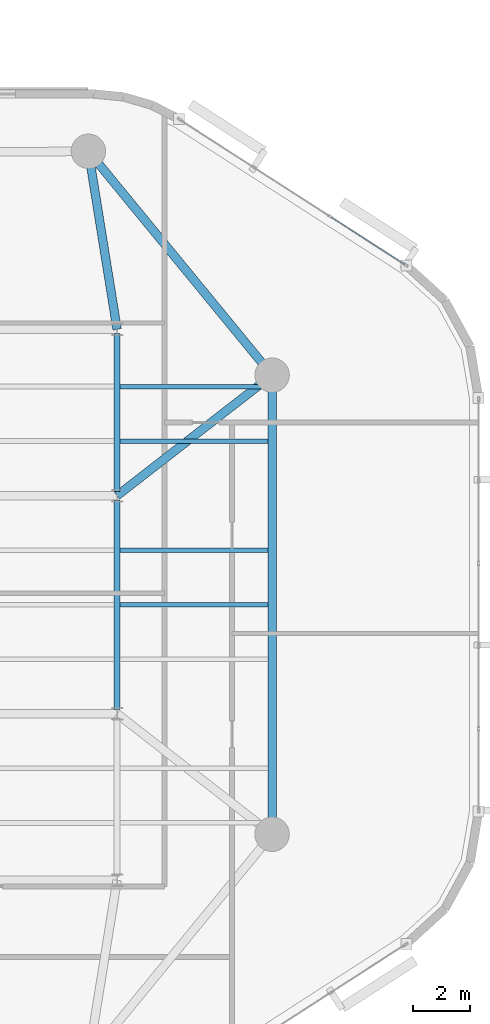
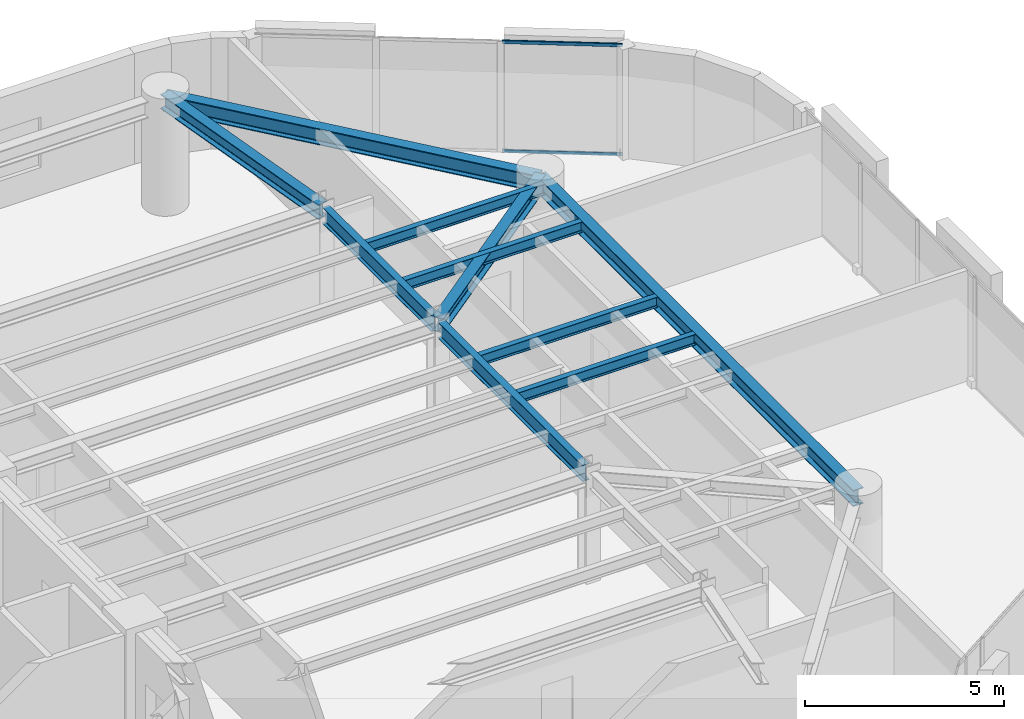
# One storey, part 4 of 15: 10 beams, 2 members, 1 element without a shape of its own.
"""IFC4 building model written with IfcOpenShell, lengths in metres."""

from ifc_helpers import new_model, si_unit, direction, frame, origin, origin_2d, place, context, subcontext, project, spatial, hollow_rectangle, i_section, extrude, material, layer, layer_set, material_profile, profile_set, type_object, element, aggregate, save


model = new_model("IFC4")

# Units and contexts
model_context = context("Model", 3, precision=1e-05, world=origin(), true_north=direction((0.0, 1.0)))
body_context = subcontext(model_context, "Body", "Model", "MODEL_VIEW")
ifc_project = project(units=[si_unit("LENGTHUNIT", "METRE"), si_unit("AREAUNIT", "SQUARE_METRE"), si_unit("VOLUMEUNIT", "CUBIC_METRE"), si_unit("PLANEANGLEUNIT", "RADIAN"), si_unit("MASSUNIT", "GRAM", prefix="KILO")], contexts=[model_context])

# Site, building, storey
site_placement = place(None, origin())
site = spatial("IfcSite", under=ifc_project, at=site_placement, CompositionType="ELEMENT")
building_placement = place(site_placement, origin())
building = spatial("IfcBuilding", under=site, at=building_placement, Name="An Khanh Terracotta Commons", CompositionType="ELEMENT")
storey_placement = place(building_placement, frame((0.0, 0.0, 169.0)))
storey = spatial("IfcBuildingStorey", under=building, at=storey_placement, Name="L44", CompositionType="ELEMENT", Elevation=169.0)

# Beams
ifc_material_1 = material(Name="Steel S355J2", Category="steel")
ifc_material_profile_1 = material_profile(ifc_material_1, i_section(OverallWidth=0.300048828125, OverallDepth=0.449951171875, WebThickness=0.013916015625, FlangeThickness=0.02587890625, FilletRadius=0.027099609375, at=origin_2d()), Name="HEB450")
ifc_profile_set_1 = profile_set([ifc_material_profile_1], Name="Steel S355J2")
beam_type_1 = type_object("IfcBeamType", Name="BM-HEB450", PredefinedType="BEAM", material=ifc_profile_set_1)
beam_1_placement = place(storey_placement, frame((55.800048828125, 32.0, 3.175048828125), z_axis=(-0.789363746927, -0.61392578952, 0.0), x_axis=(0.61392578952, -0.789363746927, 0.0)))
element("IfcBeam", 1, at=beam_1_placement, inside=storey, type_object=beam_type_1, Name="L44 Mega-Column Tie Girder 4", PredefinedType="BEAM", context=body_context, shape_type="SweptSolid", body=[
    extrude(i_section(OverallWidth=0.300048828125, OverallDepth=0.449951171875, WebThickness=0.013916015625, FlangeThickness=0.02587890625, FilletRadius=0.027099609375, at=origin_2d()), origin(), (0.0, 0.0, 1.0), 6.841064453125),
])
beam_2_placement = place(storey_placement, frame((49.39990234375, 39.800048828125, 3.175048828125), z_axis=(0.159233661074, -0.987240923575, 0.0), x_axis=(0.987240923575, 0.159233661074, 0.0)))
element("IfcBeam", 2, at=beam_2_placement, inside=storey, type_object=beam_type_1, Name="L44 Mega-Column Tie Girder 5", PredefinedType="BEAM", context=body_context, shape_type="SweptSolid", body=[
    extrude(i_section(OverallWidth=0.300048828125, OverallDepth=0.449951171875, WebThickness=0.013916015625, FlangeThickness=0.02587890625, FilletRadius=0.027099609375, at=origin_2d()), origin(), (0.0, 0.0, 1.0), 6.280029296875),
])
ifc_material_profile_2 = material_profile(ifc_material_1, i_section(OverallWidth=0.300048828125, OverallDepth=0.5, WebThickness=0.014404296875, FlangeThickness=0.028076171875, FilletRadius=0.027099609375, at=origin_2d()), Name="HEB500")
ifc_profile_set_2 = profile_set([ifc_material_profile_2], Name="Steel S355J2")
beam_type_2 = type_object("IfcBeamType", Name="BM-HEB500", PredefinedType="BEAM", material=ifc_profile_set_2)
beam_3_placement = place(storey_placement, frame((55.800048828125, 16.0, 3.14990234375), z_axis=(0.0, 1.0, 0.0), x_axis=(-1.0, 0.0, 0.0)))
element("IfcBeam", 3, at=beam_3_placement, inside=storey, type_object=beam_type_2, Name="L44 Perimeter Ring Spandrel 3", PredefinedType="BEAM", context=body_context, shape_type="SweptSolid", body=[
    extrude(i_section(OverallWidth=0.300048828125, OverallDepth=0.5, WebThickness=0.014404296875, FlangeThickness=0.028076171875, FilletRadius=0.027099609375, at=origin_2d()), origin(), (0.0, 0.0, 1.0), 16.0),
])
beam_4_placement = place(storey_placement, frame((55.800048828125, 32.0, 3.14990234375), z_axis=(-0.634322915223, 0.7730681983, 0.0), x_axis=(-0.7730681983, -0.634322915223, 0.0)))
element("IfcBeam", 4, at=beam_4_placement, inside=storey, type_object=beam_type_2, Name="L44 Perimeter Ring Spandrel 4", PredefinedType="BEAM", context=body_context, shape_type="SweptSolid", body=[
    extrude(i_section(OverallWidth=0.300048828125, OverallDepth=0.5, WebThickness=0.014404296875, FlangeThickness=0.028076171875, FilletRadius=0.027099609375, at=origin_2d()), origin(), (0.0, 0.0, 1.0), 10.08984375),
])
ifc_material_profile_3 = material_profile(ifc_material_1, i_section(OverallWidth=0.159912109375, OverallDepth=0.330078125, WebThickness=0.007568359375, FlangeThickness=0.011474609375, FilletRadius=0.01806640625, at=origin_2d()), Name="IPE330")
ifc_profile_set_3 = profile_set([ifc_material_profile_3], Name="Steel S355J2")
beam_type_3 = type_object("IfcBeamType", Name="BM-IPE330", PredefinedType="JOIST", material=ifc_profile_set_3)
for number, where, z_axis, x_axis, name in (
    (5, (50.5, 24.0, 3.235107421875), (1.0, 0.0, 0.0), (0.0, 1.0, 0.0), "L44 Riverfront Composite Joist 4"),
    (6, (50.5, 25.89990234375, 3.235107421875), (1.0, 0.0, 0.0), (0.0, 1.0, 0.0), "L44 Riverfront Composite Joist 5"),
    (7, (50.5, 29.699951171875, 3.235107421875), (1.0, 0.0, 0.0), (0.0, 1.0, 0.0), "L44 Riverfront Composite Joist 6"),
    (8, (50.5, 31.60009765625, 3.235107421875), (1.0, 0.0, 0.0), (0.0, 1.0, 0.0), "L44 Riverfront Composite Joist 7"),
):
    element("IfcBeam", number, at=place(storey_placement, frame(where, z_axis=z_axis, x_axis=x_axis)), inside=storey, type_object=beam_type_3, Name=name, PredefinedType="JOIST", context=body_context, shape_type="SweptSolid", body=[
        extrude(i_section(OverallWidth=0.159912109375, OverallDepth=0.330078125, WebThickness=0.007568359375, FlangeThickness=0.011474609375, FilletRadius=0.01806640625, at=origin_2d()), origin(), (0.0, 0.0, 1.0), 5.14990234375),
    ])
ifc_material_profile_4 = material_profile(ifc_material_1, i_section(OverallWidth=0.199951171875, OverallDepth=0.5, WebThickness=0.01025390625, FlangeThickness=0.01611328125, FilletRadius=0.02099609375, at=origin_2d()), Name="IPE500")
ifc_profile_set_4 = profile_set([ifc_material_profile_4], Name="Steel S355J2")
beam_type_4 = type_object("IfcBeamType", Name="BM-IPE500", PredefinedType="BEAM", material=ifc_profile_set_4)
beam_5_placement = place(storey_placement, frame((50.39990234375, 20.35009765625, 3.14990234375), z_axis=(0.0, 1.0, 0.0), x_axis=(-1.0, 0.0, 0.0)))
element("IfcBeam", 9, at=beam_5_placement, inside=storey, type_object=beam_type_4, Name="L44 East Spine Girder 2", PredefinedType="BEAM", context=body_context, shape_type="SweptSolid", body=[
    extrude(i_section(OverallWidth=0.199951171875, OverallDepth=0.5, WebThickness=0.01025390625, FlangeThickness=0.01611328125, FilletRadius=0.02099609375, at=origin_2d()), origin(), (0.0, 0.0, 1.0), 7.2998046875),
])
beam_6_placement = place(storey_placement, frame((50.39990234375, 27.949951171875, 3.14990234375), z_axis=(0.0, 1.0, 0.0), x_axis=(-1.0, 0.0, 0.0)))
element("IfcBeam", 10, at=beam_6_placement, inside=storey, type_object=beam_type_4, Name="L44 East Spine Girder 3", PredefinedType="BEAM", context=body_context, shape_type="SweptSolid", body=[
    extrude(i_section(OverallWidth=0.199951171875, OverallDepth=0.5, WebThickness=0.01025390625, FlangeThickness=0.01611328125, FilletRadius=0.02099609375, at=origin_2d()), origin(), (0.0, 0.0, 1.0), 5.5),
])

# Curtain wall, members
ifc_material_2 = material(Name="Anodised Aluminium 6063-T6", Category="aluminium")
ifc_layer = layer(ifc_material_2, 0.2099609375, Name="Anodised Aluminium 6063-T6")
ifc_layer_set = layer_set([ifc_layer], Name="Anodised Aluminium 6063-T6")
curtain_wall_type = type_object("IfcCurtainWallType", Name="CW-SYS-03", PredefinedType="USERDEFINED", material=ifc_layer_set)
curtain_wall_placement = place(storey_placement, origin())
curtain_wall = element("IfcCurtainWall", 11, at=curtain_wall_placement, inside=storey, type_object=curtain_wall_type, Name="L44 CW-03 Unitised Curtain Wall CW-L44-16", ObjectType="UNITISED CURTAIN WALL", PredefinedType="USERDEFINED")
ifc_material_profile_5 = material_profile(ifc_material_2, hollow_rectangle(XDim=0.050048828125, YDim=0.10009765625, WallThickness=0.003173828125, InnerFilletRadius=0.003173828125, OuterFilletRadius=0.00634765625, at=origin_2d()), Name="RHS100x50x3.2")
ifc_profile_set_5 = profile_set([ifc_material_profile_5], Name="Anodised Aluminium 6063-T6")
member_type = type_object("IfcMemberType", Name="CWT-RHS100x50x3.2", PredefinedType="USERDEFINED", material=ifc_profile_set_5)
member_1_placement = place(storey_placement, frame((60.419189453125, 35.86181640625, 0.02490234375), z_axis=(-0.840673595852, 0.541542154626, 0.0), x_axis=(-0.541542154626, -0.840673595852, 0.0)))
member_1 = element("IfcMember", 12, at=member_1_placement, type_object=member_type, Name="CW-03 transom 1.1", ObjectType="TRANSOM", PredefinedType="USERDEFINED", context=body_context, shape_type="SweptSolid", body=[
    extrude(hollow_rectangle(XDim=0.050048828125, YDim=0.10009765625, WallThickness=0.003173828125, InnerFilletRadius=0.003173828125, OuterFilletRadius=0.00634765625, at=origin_2d()), origin(), (0.0, 0.0, 1.0), 3.034423828125),
])
member_2_placement = place(storey_placement, frame((60.419189453125, 35.86181640625, 3.375), z_axis=(-0.840673595852, 0.541542154626, 0.0), x_axis=(-0.541542154626, -0.840673595852, 0.0)))
member_2 = element("IfcMember", 13, at=member_2_placement, type_object=member_type, Name="CW-03 transom 1.2", ObjectType="TRANSOM", PredefinedType="USERDEFINED", context=body_context, shape_type="SweptSolid", body=[
    extrude(hollow_rectangle(XDim=0.050048828125, YDim=0.10009765625, WallThickness=0.003173828125, InnerFilletRadius=0.003173828125, OuterFilletRadius=0.00634765625, at=origin_2d()), origin(), (0.0, 0.0, 1.0), 3.034423828125),
])
aggregate(curtain_wall, [member_1, member_2])

save(model, "model.ifc")
